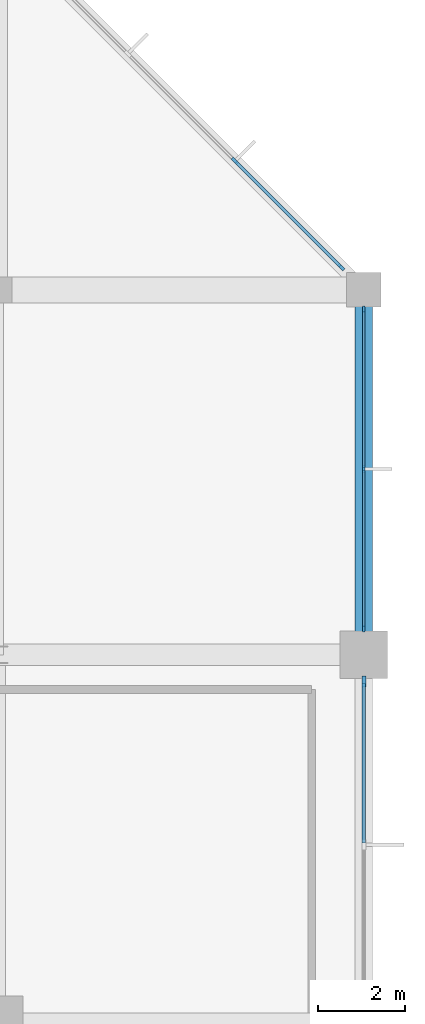
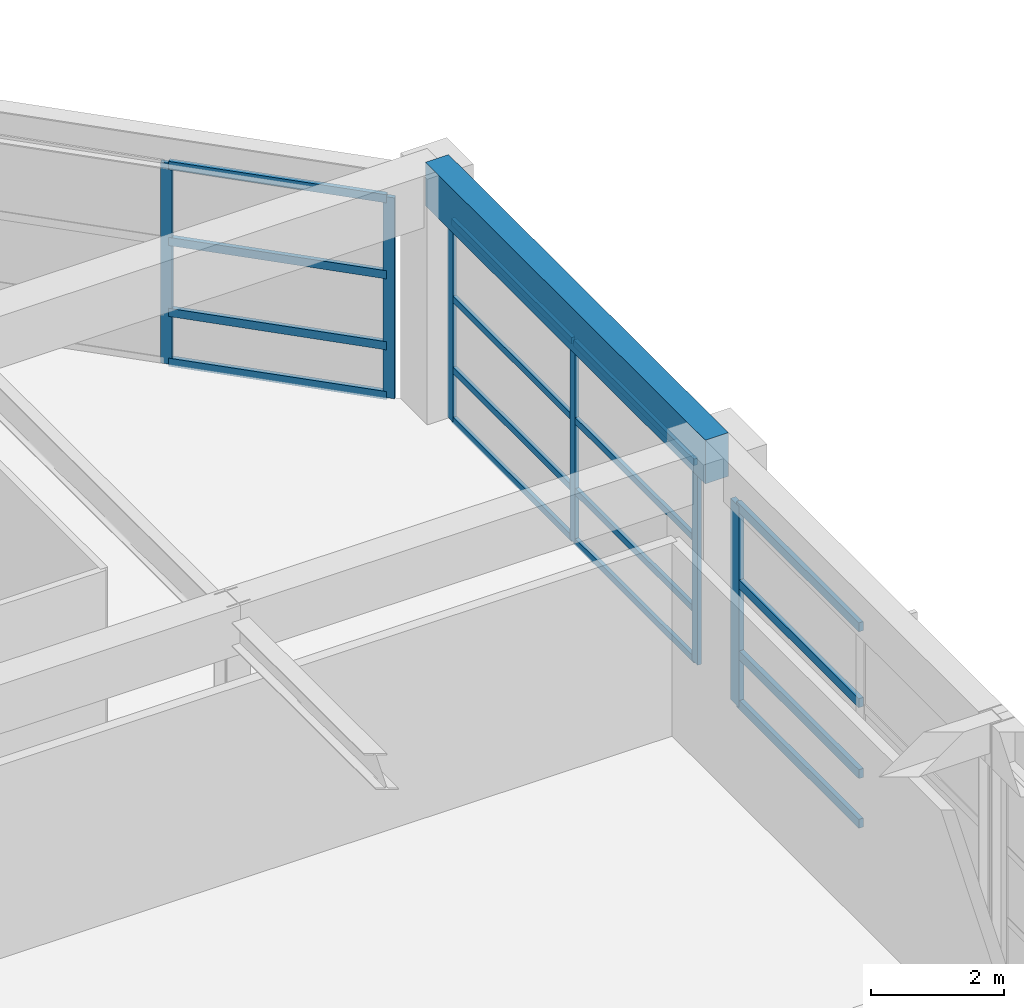
# One storey, part 35 of 56: 22 members, 1 beam, 3 elements without a shape of their own.
"""IFC4 building model written with IfcOpenShell, lengths in metres."""

from ifc_helpers import new_model, si_unit, direction, frame, origin, origin_2d, place, context, subcontext, project, spatial, rectangle, extrude, material, material_profile, profile_set, type_object, element, aggregate, save


model = new_model("IFC4")

# Units and contexts
model_context = context("Model", 3, precision=1e-05, world=origin(), true_north=direction((0.0, 1.0)))
body_context = subcontext(model_context, "Body", "Model", "MODEL_VIEW")
ifc_project = project(units=[si_unit("LENGTHUNIT", "METRE"), si_unit("AREAUNIT", "SQUARE_METRE"), si_unit("VOLUMEUNIT", "CUBIC_METRE"), si_unit("PLANEANGLEUNIT", "RADIAN"), si_unit("MASSUNIT", "GRAM", prefix="KILO")], contexts=[model_context])

# Site, building, storey
site_placement = place(None, origin())
site = spatial("IfcSite", under=ifc_project, at=site_placement, CompositionType="ELEMENT")
building_placement = place(site_placement, origin())
building = spatial("IfcBuilding", under=site, at=building_placement, Name="Xuanlan Plaza Opera House", CompositionType="ELEMENT")
storey_placement = place(building_placement, frame((0.0, 0.0, 18.89990234375)))
storey = spatial("IfcBuildingStorey", under=building, at=storey_placement, Name="L04", CompositionType="ELEMENT", Elevation=18.89990234375)

# Curtain wall, members
ifc_material_1 = material(Name="Anodised Aluminium 6063-T6 and Low-E Glass", Category="aluminium")
curtain_wall_type_1 = type_object("IfcCurtainWallType", Name="ENV-CW-CW-03", PredefinedType="USERDEFINED", material=ifc_material_1)
curtain_wall_1_placement = place(storey_placement, origin())
curtain_wall_1 = element("IfcCurtainWall", 1, at=curtain_wall_1_placement, inside=storey, type_object=curtain_wall_type_1, Name="Unitised Curtain Wall L04-025", ObjectType="UNITISED CURTAIN WALL", PredefinedType="USERDEFINED")
ifc_material_2 = material(Name="Anodised Aluminium 6063-T6", Category="aluminium")
ifc_material_profile_1 = material_profile(ifc_material_2, rectangle(XDim=0.06494140625, YDim=0.159912109375, at=origin_2d()), Name="ALU-M 65x160")
ifc_profile_set_1 = profile_set([ifc_material_profile_1], Name="Anodised Aluminium 6063-T6")
member_type_1 = type_object("IfcMemberType", Name="ENV-CWM-01", PredefinedType="MULLION", material=ifc_profile_set_1)
member_1_placement = place(storey_placement, frame((168.0, 84.6025390625, 0.0), z_axis=(0.0, 0.0, 1.0), x_axis=(-1.0, 0.0, 0.0)))
member_1 = element("IfcMember", 2, at=member_1_placement, type_object=member_type_1, Name="CW-03 mullion 1", PredefinedType="MULLION", context=body_context, shape_type="SweptSolid", body=[
    extrude(rectangle(XDim=0.06494140625, YDim=0.159912109375, at=origin_2d()), origin(), (0.0, 0.0, 1.0), 3.68017578125),
])
member_2_placement = place(storey_placement, frame((168.0, 88.27490234375, 0.0), z_axis=(0.0, 0.0, 1.0), x_axis=(-1.0, 0.0, 0.0)))
member_2 = element("IfcMember", 3, at=member_2_placement, type_object=member_type_1, Name="CW-03 mullion 2", PredefinedType="MULLION", context=body_context, shape_type="SweptSolid", body=[
    extrude(rectangle(XDim=0.06494140625, YDim=0.159912109375, at=origin_2d()), origin(), (0.0, 0.0, 1.0), 3.68017578125),
])
member_3_placement = place(storey_placement, frame((168.0, 91.947509765625, 0.0), z_axis=(0.0, 0.0, 1.0), x_axis=(-1.0, 0.0, 0.0)))
member_3 = element("IfcMember", 4, at=member_3_placement, type_object=member_type_1, Name="CW-03 mullion 3", PredefinedType="MULLION", context=body_context, shape_type="SweptSolid", body=[
    extrude(rectangle(XDim=0.06494140625, YDim=0.159912109375, at=origin_2d()), origin(), (0.0, 0.0, 1.0), 3.68017578125),
])

curtain_wall_type_2 = type_object("IfcCurtainWallType", Name="ENV-CW-CW-04", PredefinedType="USERDEFINED", material=ifc_material_1)
curtain_wall_2_placement = place(storey_placement, origin())
curtain_wall_2 = element("IfcCurtainWall", 5, at=curtain_wall_2_placement, inside=storey, type_object=curtain_wall_type_2, Name="Unitised Curtain Wall L04-026", ObjectType="UNITISED CURTAIN WALL", PredefinedType="USERDEFINED")
ifc_material_profile_2 = material_profile(ifc_material_2, rectangle(XDim=0.070068359375, YDim=0.179931640625, at=origin_2d()), Name="ALU-M 70x180")
ifc_profile_set_2 = profile_set([ifc_material_profile_2], Name="Anodised Aluminium 6063-T6")
member_type_2 = type_object("IfcMemberType", Name="ENV-CWM-02", PredefinedType="MULLION", material=ifc_profile_set_2)
member_4_placement = place(storey_placement, frame((167.476318359375, 92.923828125, 0.0), z_axis=(0.0, 0.0, 1.0), x_axis=(-0.707106781187, -0.707106781187, 0.0)))
member_4 = element("IfcMember", 6, at=member_4_placement, type_object=member_type_2, Name="CW-04 mullion 1", PredefinedType="MULLION", context=body_context, shape_type="SweptSolid", body=[
    extrude(rectangle(XDim=0.070068359375, YDim=0.179931640625, at=origin_2d()), origin(), (0.0, 0.0, 1.0), 3.68017578125),
])
member_5_placement = place(storey_placement, frame((165.03369140625, 95.366455078125, 0.0), z_axis=(0.0, 0.0, 1.0), x_axis=(-0.707106781187, -0.707106781187, 0.0)))
member_5 = element("IfcMember", 7, at=member_5_placement, type_object=member_type_2, Name="CW-04 mullion 2", PredefinedType="MULLION", context=body_context, shape_type="SweptSolid", body=[
    extrude(rectangle(XDim=0.070068359375, YDim=0.179931640625, at=origin_2d()), origin(), (0.0, 0.0, 1.0), 3.68017578125),
])

# Curtain wall, member
curtain_wall_type_3 = type_object("IfcCurtainWallType", Name="ENV-CW-CW-02", PredefinedType="USERDEFINED", material=ifc_material_1)
curtain_wall_3_placement = place(storey_placement, origin())
curtain_wall_3 = element("IfcCurtainWall", 8, at=curtain_wall_3_placement, inside=storey, type_object=curtain_wall_type_3, Name="Unitised Curtain Wall L04-024", ObjectType="UNITISED CURTAIN WALL", PredefinedType="USERDEFINED")
ifc_material_profile_3 = material_profile(ifc_material_2, rectangle(XDim=0.090087890625, YDim=0.25, at=origin_2d()), Name="ALU-M 90x250")
ifc_profile_set_3 = profile_set([ifc_material_profile_3], Name="Anodised Aluminium 6063-T6")
member_type_3 = type_object("IfcMemberType", Name="ENV-CWM-05", PredefinedType="MULLION", material=ifc_profile_set_3)
member_6_placement = place(storey_placement, frame((168.0, 83.385009765625, 0.0), z_axis=(0.0, 0.0, 1.0), x_axis=(-1.0, 0.0, 0.0)))
member_6 = element("IfcMember", 9, at=member_6_placement, type_object=member_type_3, Name="CW-02 mullion 3", PredefinedType="MULLION", context=body_context, shape_type="SweptSolid", body=[
    extrude(rectangle(XDim=0.090087890625, YDim=0.25, at=origin_2d()), origin(), (0.0, 0.0, 1.0), 3.68017578125),
])

# Member
ifc_material_profile_4 = material_profile(ifc_material_2, rectangle(XDim=0.06494140625, YDim=0.1201171875, at=origin_2d()), Name="ALU-T 65x120")
ifc_profile_set_4 = profile_set([ifc_material_profile_4], Name="Anodised Aluminium 6063-T6")
member_type_4 = type_object("IfcMemberType", Name="ENV-CWT-01", PredefinedType="USERDEFINED", material=ifc_profile_set_4)
member_7_placement = place(storey_placement, frame((168.0, 84.635009765625, 0.03271484375), z_axis=(0.0, 1.0, 0.0), x_axis=(-1.0, 0.0, 0.0)))
member_7 = element("IfcMember", 10, at=member_7_placement, type_object=member_type_4, Name="CW-03 transom 1.1", ObjectType="TRANSOM", PredefinedType="USERDEFINED", context=body_context, shape_type="SweptSolid", body=[
    extrude(rectangle(XDim=0.06494140625, YDim=0.1201171875, at=origin_2d()), origin(), (0.0, 0.0, 1.0), 3.607421875),
])

member_8_placement = place(storey_placement, frame((168.0, 84.635009765625, 0.9501953125), z_axis=(0.0, 1.0, 0.0), x_axis=(-1.0, 0.0, 0.0)))
member_8 = element("IfcMember", 11, at=member_8_placement, type_object=member_type_4, Name="CW-03 transom 1.2", ObjectType="TRANSOM", PredefinedType="USERDEFINED", context=body_context, shape_type="SweptSolid", body=[
    extrude(rectangle(XDim=0.06494140625, YDim=0.1201171875, at=origin_2d()), origin(), (0.0, 0.0, 1.0), 3.607421875),
])

member_9_placement = place(storey_placement, frame((168.0, 84.635009765625, 2.25), z_axis=(0.0, 1.0, 0.0), x_axis=(-1.0, 0.0, 0.0)))
member_9 = element("IfcMember", 12, at=member_9_placement, type_object=member_type_4, Name="CW-03 transom 1.3", ObjectType="TRANSOM", PredefinedType="USERDEFINED", context=body_context, shape_type="SweptSolid", body=[
    extrude(rectangle(XDim=0.06494140625, YDim=0.1201171875, at=origin_2d()), origin(), (0.0, 0.0, 1.0), 3.607421875),
])

member_10_placement = place(storey_placement, frame((168.0, 84.635009765625, 3.647705078125), z_axis=(0.0, 1.0, 0.0), x_axis=(-1.0, 0.0, 0.0)))
member_10 = element("IfcMember", 13, at=member_10_placement, type_object=member_type_4, Name="CW-03 transom 1.4", ObjectType="TRANSOM", PredefinedType="USERDEFINED", context=body_context, shape_type="SweptSolid", body=[
    extrude(rectangle(XDim=0.06494140625, YDim=0.1201171875, at=origin_2d()), origin(), (0.0, 0.0, 1.0), 3.607421875),
])

member_11_placement = place(storey_placement, frame((168.0, 88.3076171875, 0.03271484375), z_axis=(0.0, 1.0, 0.0), x_axis=(-1.0, 0.0, 0.0)))
member_11 = element("IfcMember", 14, at=member_11_placement, type_object=member_type_4, Name="CW-03 transom 2.1", ObjectType="TRANSOM", PredefinedType="USERDEFINED", context=body_context, shape_type="SweptSolid", body=[
    extrude(rectangle(XDim=0.06494140625, YDim=0.1201171875, at=origin_2d()), origin(), (0.0, 0.0, 1.0), 3.607421875),
])

member_12_placement = place(storey_placement, frame((168.0, 88.3076171875, 0.9501953125), z_axis=(0.0, 1.0, 0.0), x_axis=(-1.0, 0.0, 0.0)))
member_12 = element("IfcMember", 15, at=member_12_placement, type_object=member_type_4, Name="CW-03 transom 2.2", ObjectType="TRANSOM", PredefinedType="USERDEFINED", context=body_context, shape_type="SweptSolid", body=[
    extrude(rectangle(XDim=0.06494140625, YDim=0.1201171875, at=origin_2d()), origin(), (0.0, 0.0, 1.0), 3.607421875),
])

member_13_placement = place(storey_placement, frame((168.0, 88.3076171875, 2.25), z_axis=(0.0, 1.0, 0.0), x_axis=(-1.0, 0.0, 0.0)))
member_13 = element("IfcMember", 16, at=member_13_placement, type_object=member_type_4, Name="CW-03 transom 2.3", ObjectType="TRANSOM", PredefinedType="USERDEFINED", context=body_context, shape_type="SweptSolid", body=[
    extrude(rectangle(XDim=0.06494140625, YDim=0.1201171875, at=origin_2d()), origin(), (0.0, 0.0, 1.0), 3.607421875),
])

member_14_placement = place(storey_placement, frame((168.0, 88.3076171875, 3.647705078125), z_axis=(0.0, 1.0, 0.0), x_axis=(-1.0, 0.0, 0.0)))
member_14 = element("IfcMember", 17, at=member_14_placement, type_object=member_type_4, Name="CW-03 transom 2.4", ObjectType="TRANSOM", PredefinedType="USERDEFINED", context=body_context, shape_type="SweptSolid", body=[
    extrude(rectangle(XDim=0.06494140625, YDim=0.1201171875, at=origin_2d()), origin(), (0.0, 0.0, 1.0), 3.607421875),
])

aggregate(curtain_wall_1, [member_1, member_2, member_3, member_7, member_8, member_9, member_10, member_11, member_12, member_13, member_14])

ifc_material_profile_5 = material_profile(ifc_material_2, rectangle(XDim=0.074951171875, YDim=0.14990234375, at=origin_2d()), Name="ALU-T 75x150")
ifc_profile_set_5 = profile_set([ifc_material_profile_5], Name="Anodised Aluminium 6063-T6")
member_type_5 = type_object("IfcMemberType", Name="ENV-CWT-03", PredefinedType="USERDEFINED", material=ifc_profile_set_5)
member_15_placement = place(storey_placement, frame((167.451416015625, 92.948486328125, 0.03759765625), z_axis=(-0.707106781187, 0.707106781187, 0.0), x_axis=(-0.707106781187, -0.707106781187, 0.0)))
member_15 = element("IfcMember", 18, at=member_15_placement, type_object=member_type_5, Name="CW-04 transom 1.1", ObjectType="TRANSOM", PredefinedType="USERDEFINED", context=body_context, shape_type="SweptSolid", body=[
    extrude(rectangle(XDim=0.074951171875, YDim=0.14990234375, at=origin_2d()), origin(), (0.0, 0.0, 1.0), 3.38427734375),
])

member_16_placement = place(storey_placement, frame((167.451416015625, 92.948486328125, 0.9501953125), z_axis=(-0.707106781187, 0.707106781187, 0.0), x_axis=(-0.707106781187, -0.707106781187, 0.0)))
member_16 = element("IfcMember", 19, at=member_16_placement, type_object=member_type_5, Name="CW-04 transom 1.2", ObjectType="TRANSOM", PredefinedType="USERDEFINED", context=body_context, shape_type="SweptSolid", body=[
    extrude(rectangle(XDim=0.074951171875, YDim=0.14990234375, at=origin_2d()), origin(), (0.0, 0.0, 1.0), 3.38427734375),
])

member_17_placement = place(storey_placement, frame((167.451416015625, 92.948486328125, 2.25), z_axis=(-0.707106781187, 0.707106781187, 0.0), x_axis=(-0.707106781187, -0.707106781187, 0.0)))
member_17 = element("IfcMember", 20, at=member_17_placement, type_object=member_type_5, Name="CW-04 transom 1.3", ObjectType="TRANSOM", PredefinedType="USERDEFINED", context=body_context, shape_type="SweptSolid", body=[
    extrude(rectangle(XDim=0.074951171875, YDim=0.14990234375, at=origin_2d()), origin(), (0.0, 0.0, 1.0), 3.38427734375),
])

member_18_placement = place(storey_placement, frame((167.451416015625, 92.948486328125, 3.642578125), z_axis=(-0.707106781187, 0.707106781187, 0.0), x_axis=(-0.707106781187, -0.707106781187, 0.0)))
member_18 = element("IfcMember", 21, at=member_18_placement, type_object=member_type_5, Name="CW-04 transom 1.4", ObjectType="TRANSOM", PredefinedType="USERDEFINED", context=body_context, shape_type="SweptSolid", body=[
    extrude(rectangle(XDim=0.074951171875, YDim=0.14990234375, at=origin_2d()), origin(), (0.0, 0.0, 1.0), 3.38427734375),
])

aggregate(curtain_wall_2, [member_4, member_5, member_15, member_16, member_17, member_18])

ifc_material_profile_6 = material_profile(ifc_material_2, rectangle(XDim=0.080078125, YDim=0.1650390625, at=origin_2d()), Name="ALU-T 80x165")
ifc_profile_set_6 = profile_set([ifc_material_profile_6], Name="Anodised Aluminium 6063-T6")
member_type_6 = type_object("IfcMemberType", Name="ENV-CWT-04", PredefinedType="USERDEFINED", material=ifc_profile_set_6)
member_19_placement = place(storey_placement, frame((168.0, 79.669921875, 0.0400390625), z_axis=(0.0, 1.0, 0.0), x_axis=(-1.0, 0.0, 0.0)))
member_19 = element("IfcMember", 22, at=member_19_placement, type_object=member_type_6, Name="CW-02 transom 2.1", ObjectType="TRANSOM", PredefinedType="USERDEFINED", context=body_context, shape_type="SweptSolid", body=[
    extrude(rectangle(XDim=0.080078125, YDim=0.1650390625, at=origin_2d()), origin(), (0.0, 0.0, 1.0), 3.670166015625),
])

member_20_placement = place(storey_placement, frame((168.0, 79.669921875, 0.9501953125), z_axis=(0.0, 1.0, 0.0), x_axis=(-1.0, 0.0, 0.0)))
member_20 = element("IfcMember", 23, at=member_20_placement, type_object=member_type_6, Name="CW-02 transom 2.2", ObjectType="TRANSOM", PredefinedType="USERDEFINED", context=body_context, shape_type="SweptSolid", body=[
    extrude(rectangle(XDim=0.080078125, YDim=0.1650390625, at=origin_2d()), origin(), (0.0, 0.0, 1.0), 3.670166015625),
])

member_21_placement = place(storey_placement, frame((168.0, 79.669921875, 2.25), z_axis=(0.0, 1.0, 0.0), x_axis=(-1.0, 0.0, 0.0)))
member_21 = element("IfcMember", 24, at=member_21_placement, type_object=member_type_6, Name="CW-02 transom 2.3", ObjectType="TRANSOM", PredefinedType="USERDEFINED", context=body_context, shape_type="SweptSolid", body=[
    extrude(rectangle(XDim=0.080078125, YDim=0.1650390625, at=origin_2d()), origin(), (0.0, 0.0, 1.0), 3.670166015625),
])

member_22_placement = place(storey_placement, frame((168.0, 79.669921875, 3.64013671875), z_axis=(0.0, 1.0, 0.0), x_axis=(-1.0, 0.0, 0.0)))
member_22 = element("IfcMember", 25, at=member_22_placement, type_object=member_type_6, Name="CW-02 transom 2.4", ObjectType="TRANSOM", PredefinedType="USERDEFINED", context=body_context, shape_type="SweptSolid", body=[
    extrude(rectangle(XDim=0.080078125, YDim=0.1650390625, at=origin_2d()), origin(), (0.0, 0.0, 1.0), 3.670166015625),
])

aggregate(curtain_wall_3, [member_6, member_19, member_20, member_21, member_22])

# Beam
ifc_material_3 = material(Name="Concrete C40", Category="concrete")
ifc_material_profile_7 = material_profile(ifc_material_3, rectangle(XDim=0.39990234375, YDim=0.800048828125, at=origin_2d()), Name="RC-SPD 400x800")
ifc_profile_set_7 = profile_set([ifc_material_profile_7], Name="Concrete C40")
beam_type = type_object("IfcBeamType", Name="STR-BM-SP-01", PredefinedType="SPANDREL", material=ifc_profile_set_7)
beam_placement = place(storey_placement, frame((168.0, 84.0, 4.10009765625), z_axis=(0.0, 1.0, 0.0), x_axis=(-1.0, 0.0, 0.0)))
element("IfcBeam", 26, at=beam_placement, inside=storey, type_object=beam_type, Name="Grid Beam Y L04 21/K-L", PredefinedType="SPANDREL", context=body_context, shape_type="SweptSolid", body=[
    extrude(rectangle(XDim=0.39990234375, YDim=0.800048828125, at=origin_2d()), origin(), (0.0, 0.0, 1.0), 8.39990234375),
])

save(model, "model.ifc")
